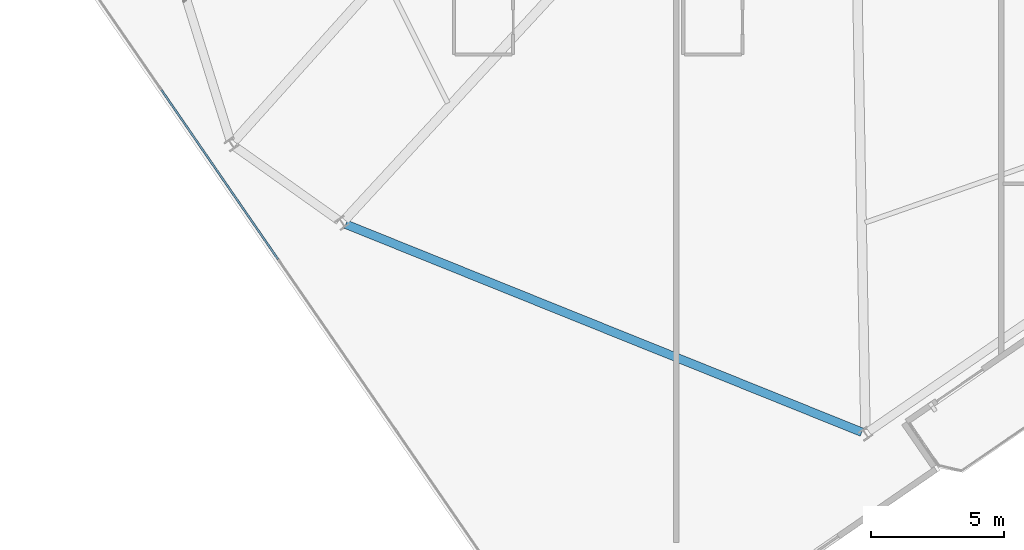
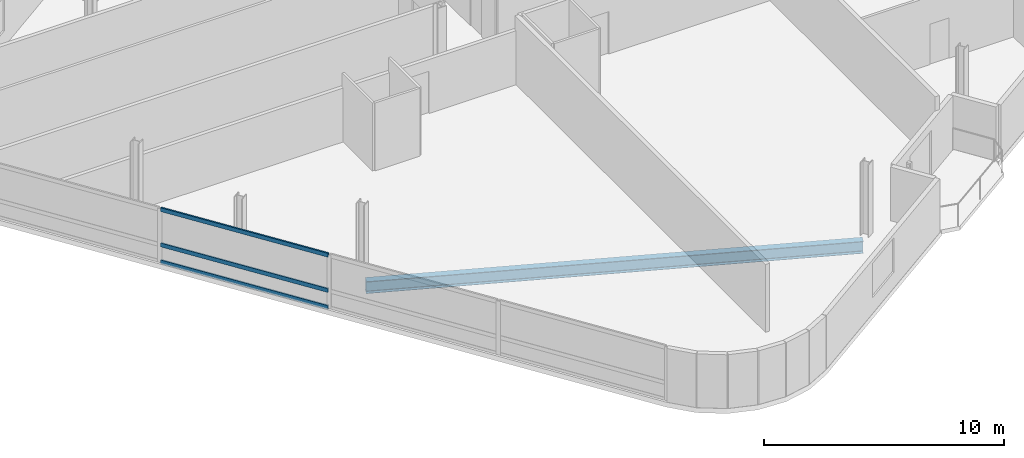
# One storey, part 4 of 21: 3 members, 1 beam, 1 element without a shape of its own.
"""IFC4 building model written with IfcOpenShell, lengths in metres."""

import ifcopenshell
import ifcopenshell.guid

model = None  # the IFC model being written
_history = None  # IfcOwnerHistory: only IFC2X3 demands one
_inside = {}  # id of a spatial element -> (the spatial element, [elements in it])
_under = {}  # id of a project, library or spatial element -> (it, [spatial elements below it])
_declared = {}  # id of a project -> (the project, [libraries it declares])
_typed = {}  # id of a type object -> (the type object, [elements of that type])
_made_of = {}  # id of a material, layer set ... -> (it, [elements and type objects made of it])


def new_model(schema):
    """Start an empty IFC model of exactly this schema.

    Asked for "IFC4X3", IfcOpenShell would pick the latest addendum, in which some entities
    have other attributes; the version numbers below select the first issue.
    IFC2X3 requires an IfcOwnerHistory on every rooted entity: one is made here for all.
    """
    global model, _history
    if schema == "IFC4X3":
        model = ifcopenshell.file(schema_version=(4, 3, 0, 0))
    else:
        model = ifcopenshell.file(schema=schema)
    _inside.clear()
    _under.clear()
    _declared.clear()
    _typed.clear()
    _made_of.clear()
    _history = None
    if model.schema == "IFC2X3":
        org = make("IfcOrganization", Name="unknown")
        user = make(
            "IfcPersonAndOrganization",
            ThePerson=make("IfcPerson", FamilyName="unknown"),
            TheOrganization=org,
        )
        app = make(
            "IfcApplication",
            ApplicationDeveloper=org,
            Version="unknown",
            ApplicationFullName="unknown",
            ApplicationIdentifier="unknown",
        )
        _history = make(
            "IfcOwnerHistory",
            OwningUser=user,
            OwningApplication=app,
            ChangeAction="ADDED",
            CreationDate=0,
        )
    return model


def make(cls, **values):
    """One entity of the class cls with the attributes given. An attribute that is None is left unset."""
    return model.create_entity(
        cls, **{name: value for name, value in values.items() if value is not None}
    )


def rooted(cls, **values):
    """An entity with a GlobalId (a new one), such as an element, a storey or a relation."""
    return make(cls, GlobalId=ifcopenshell.guid.new(), OwnerHistory=_history, **values)


def si_unit(unit_type, name, prefix=None):
    """IfcSIUnit, for example si_unit("LENGTHUNIT", "METRE", prefix="MILLI")."""
    return make("IfcSIUnit", UnitType=unit_type, Prefix=prefix, Name=name)


def assignment(units):
    """IfcUnitAssignment: the units of a project."""
    return None if units is None else make("IfcUnitAssignment", Units=units)


def point(xyz):
    """IfcCartesianPoint."""
    return None if xyz is None else make("IfcCartesianPoint", Coordinates=xyz)


def direction(xyz):
    """IfcDirection."""
    return None if xyz is None else make("IfcDirection", DirectionRatios=xyz)


def frame(location, z_axis=None, x_axis=None):
    """IfcAxis2Placement3D, a coordinate frame: its origin and axes. An axis left out is left unset."""
    return make(
        "IfcAxis2Placement3D",
        Location=point(location),
        Axis=direction(z_axis),
        RefDirection=direction(x_axis),
    )


def frame_2d(location, x_axis=None):
    """IfcAxis2Placement2D, a coordinate frame in the plane: its origin and x axis."""
    return make(
        "IfcAxis2Placement2D", Location=point(location), RefDirection=direction(x_axis)
    )


def origin():
    """The frame at (0, 0, 0) with its axes left unset."""
    return frame((0.0, 0.0, 0.0))


def origin_2d():
    """The frame at (0, 0) in the plane with its x axis left unset."""
    return frame_2d((0.0, 0.0))


def place(relative_to, where):
    """IfcLocalPlacement: puts the frame where relative to a parent placement (None: the world)."""
    return make(
        "IfcLocalPlacement", PlacementRelTo=relative_to, RelativePlacement=where
    )


def context(
    kind, dimensions, precision=None, world=None, true_north=None, identifier=None
):
    """IfcGeometricRepresentationContext, for example the 3D "Model" context."""
    return make(
        "IfcGeometricRepresentationContext",
        ContextIdentifier=identifier,
        ContextType=kind,
        CoordinateSpaceDimension=dimensions,
        Precision=precision,
        WorldCoordinateSystem=world,
        TrueNorth=true_north,
    )


def subcontext(parent, identifier, kind, view, scale=None):
    """IfcGeometricRepresentationSubContext, for example "Body" below "Model"."""
    return make(
        "IfcGeometricRepresentationSubContext",
        ContextIdentifier=identifier,
        ContextType=kind,
        ParentContext=parent,
        TargetScale=scale,
        TargetView=view,
    )


def project(units=None, contexts=None):
    """IfcProject with its units and contexts."""
    return rooted(
        "IfcProject",
        Name="project",
        RepresentationContexts=contexts,
        UnitsInContext=assignment(units),
    )


def spatial(cls, under=None, at=None, **own):
    """A site, building, storey or space (cls), placed at a placement, below another one or the project."""
    s = rooted(cls, ObjectPlacement=at, **own)
    if under is not None:
        _under.setdefault(under.id(), (under, []))[1].append(s)
    return s


def profile(cls, at=None, kind="AREA", **sizes):
    """A parametric profile (cls). Its sizes go by their IFC names, for example OverallWidth=200.0."""
    return make(cls, ProfileType=kind, Position=at, **sizes)


def hollow_rectangle(**sizes):
    """IfcRectangleHollowProfileDef."""
    return profile("IfcRectangleHollowProfileDef", **sizes)


def i_section(**sizes):
    """IfcIShapeProfileDef."""
    return profile("IfcIShapeProfileDef", **sizes)


def extrude(swept, where, along, depth):
    """IfcExtrudedAreaSolid: the profile swept, set in the frame where, extruded along a direction by depth."""
    return make(
        "IfcExtrudedAreaSolid",
        SweptArea=swept,
        Position=where,
        ExtrudedDirection=direction(along),
        Depth=depth,
    )


def shape(context_of_items, identifier, shape_type, items):
    """IfcShapeRepresentation: the items that make up one representation, for example the "Body"."""
    return make(
        "IfcShapeRepresentation",
        ContextOfItems=context_of_items,
        RepresentationIdentifier=identifier,
        RepresentationType=shape_type,
        Items=items,
    )


def material(Name=None, Category=None):
    """IfcMaterial."""
    return make("IfcMaterial", Name=Name, Category=Category)


def layer(
    of_material, thickness, ventilated=None, Name=None, Category=None, Priority=None
):
    """IfcMaterialLayer: one layer of a wall or slab, of a material (None: an air gap)."""
    return make(
        "IfcMaterialLayer",
        Material=of_material,
        LayerThickness=thickness,
        IsVentilated=ventilated,
        Name=Name,
        Category=Category,
        Priority=Priority,
    )


def layer_set(layers, Name=None):
    """IfcMaterialLayerSet."""
    return make("IfcMaterialLayerSet", MaterialLayers=layers, LayerSetName=Name)


def material_profile(
    of_material, cross_section, Name=None, Category=None, Priority=None
):
    """IfcMaterialProfile: a cross section and its material."""
    return make(
        "IfcMaterialProfile",
        Name=Name,
        Material=of_material,
        Profile=cross_section,
        Priority=Priority,
        Category=Category,
    )


def profile_set(profiles, Name=None, composite=None):
    """IfcMaterialProfileSet."""
    return make(
        "IfcMaterialProfileSet",
        Name=Name,
        MaterialProfiles=profiles,
        CompositeProfile=composite,
    )


def made_of(thing, what):
    """Note that an element or type object is made of a material, layer set ...; save() writes the relation."""
    if what is not None:
        _made_of.setdefault(what.id(), (what, []))[1].append(thing)
    return thing


def type_object(cls, material=None, **own):
    """A type object (cls), such as IfcWallType, which elements share."""
    return made_of(rooted(cls, **own), material)


def element(
    cls,
    number,
    at=None,
    inside=None,
    cuts=None,
    type_object=None,
    material=None,
    context=None,
    identifier="Body",
    shape_type=None,
    held_by="IfcProductDefinitionShape",
    body=None,
    shapes=None,
    **own,
):
    """One element of the class cls, such as IfcWall. Its Tag is "e" and its number.

    at: its placement. inside: the storey or other place that contains it. cuts: it is an
    opening in that element (IfcRelVoidsElement). A single representation is given by context,
    identifier, shape_type and body (its items); several are given by shapes. held_by: the class
    of the entity that holds the representations. save() writes the other relations.
    """
    e = rooted(cls, Tag="e%d" % number, ObjectPlacement=at, **own)
    if body is not None:
        shapes = [shape(context, identifier, shape_type, body)]
    if shapes is not None:
        e.Representation = make(held_by, Representations=shapes)
    if inside is not None:
        _inside.setdefault(inside.id(), (inside, []))[1].append(e)
    if cuts is not None:
        rooted(
            "IfcRelVoidsElement", RelatingBuildingElement=cuts, RelatedOpeningElement=e
        )
    if type_object is not None:
        _typed.setdefault(type_object.id(), (type_object, []))[1].append(e)
    return made_of(e, material)


def aggregate(whole, parts):
    """IfcRelAggregates: a whole, such as a stair, and the parts it consists of."""
    return rooted("IfcRelAggregates", RelatingObject=whole, RelatedObjects=parts)


def save(model, path):
    """Write the relations noted so far, then the file.

    IfcRelAggregates (storeys below a building ...), IfcRelContainedInSpatialStructure (elements
    in a storey), IfcRelDefinesByType, IfcRelAssociatesMaterial and IfcRelDeclares: one each for
    every whole, place, type object, material and project.
    """
    for whole, parts in _under.values():
        aggregate(whole, parts)
    for where, things in _inside.values():
        rooted(
            "IfcRelContainedInSpatialStructure",
            RelatedElements=things,
            RelatingStructure=where,
        )
    for kind, things in _typed.values():
        rooted("IfcRelDefinesByType", RelatedObjects=things, RelatingType=kind)
    for what, things in _made_of.values():
        rooted("IfcRelAssociatesMaterial", RelatedObjects=things, RelatingMaterial=what)
    for by, libraries in _declared.values():
        rooted("IfcRelDeclares", RelatingContext=by, RelatedDefinitions=libraries)
    model.write(path)


model = new_model("IFC4")

# Units and contexts
model_context = context("Model", 3, precision=1e-05, world=origin(), true_north=direction((0.0, 1.0)))
body_context = subcontext(model_context, "Body", "Model", "MODEL_VIEW")
ifc_project = project(units=[si_unit("LENGTHUNIT", "METRE"), si_unit("AREAUNIT", "SQUARE_METRE"), si_unit("VOLUMEUNIT", "CUBIC_METRE"), si_unit("PLANEANGLEUNIT", "RADIAN"), si_unit("MASSUNIT", "GRAM", prefix="KILO")], contexts=[model_context])

# Site, building, storey
site_placement = place(None, origin())
site = spatial("IfcSite", under=ifc_project, at=site_placement, CompositionType="ELEMENT")
building_placement = place(site_placement, origin())
building = spatial("IfcBuilding", under=site, at=building_placement, Name="Varnelok Gate Tower", CompositionType="ELEMENT")
storey_placement = place(building_placement, frame((0.0, 0.0, 269.300048828125)))
storey = spatial("IfcBuildingStorey", under=building, at=storey_placement, Name="L69", CompositionType="ELEMENT", Elevation=269.300048828125)

# Beam
ifc_material_1 = material(Name="Structural Steel ASTM A992 Grade 50", Category="steel")
ifc_material_profile_1 = material_profile(ifc_material_1, i_section(OverallWidth=0.323974609375, OverallDepth=0.611083984375, WebThickness=0.0126953125, FlangeThickness=0.01904296875, FilletRadius=0.01806640625, at=origin_2d()), Name="W24X104")
ifc_profile_set_1 = profile_set([ifc_material_profile_1], Name="Structural Steel ASTM A992 Grade 50")
beam_type = type_object("IfcBeamType", Name="BM-SPN-W24X104", PredefinedType="SPANDREL", material=ifc_profile_set_1)
beam_placement = place(storey_placement, frame((14.581787109375, 7.94775390625, -0.5556640625), z_axis=(0.927546574087, -0.373707576722, 0.0), x_axis=(0.373707576722, 0.927546574087, 0.0)))
element("IfcBeam", 1, at=beam_placement, inside=storey, type_object=beam_type, Name="L69 Perimeter Spandrel Beam 16", PredefinedType="SPANDREL", context=body_context, shape_type="SweptSolid", body=[
    extrude(i_section(OverallWidth=0.323974609375, OverallDepth=0.611083984375, WebThickness=0.0126953125, FlangeThickness=0.01904296875, FilletRadius=0.01806640625, at=origin_2d()), origin(), (0.0, 0.0, 1.0), 20.90087890625),
])

# Curtain wall, members
ifc_material_2 = material(Name="Anodized Aluminum Alloy 6063-T6", Category="aluminium")
ifc_layer = layer(ifc_material_2, 0.179931640625)
ifc_layer_set = layer_set([ifc_layer], Name="Anodized Aluminum Alloy 6063-T6")
curtain_wall_type = type_object("IfcCurtainWallType", Name="CW4-RESIDENCE-VISION", PredefinedType="USERDEFINED", material=ifc_layer_set)
curtain_wall_placement = place(storey_placement, origin())
curtain_wall = element("IfcCurtainWall", 2, at=curtain_wall_placement, inside=storey, type_object=curtain_wall_type, Name="L69 West End Vision Curtain Wall", ObjectType="UNITISED CURTAIN WALL", PredefinedType="USERDEFINED")
ifc_material_profile_2 = material_profile(ifc_material_2, hollow_rectangle(XDim=0.074951171875, YDim=0.199951171875, WallThickness=0.00390625, at=origin_2d()), Name="ALU200X75X4")
ifc_profile_set_2 = profile_set([ifc_material_profile_2], Name="Anodized Aluminum Alloy 6063-T6")
member_type = type_object("IfcMemberType", Name="CW-TRAN-200", PredefinedType="USERDEFINED", material=ifc_profile_set_2)
member_1_placement = place(storey_placement, frame((12.03515625, 6.6337890625, 0.037353515625), z_axis=(-0.567275705555, 0.823527943598, 0.0), x_axis=(-0.823527943598, -0.567275705555, 0.0)))
member_1 = element("IfcMember", 3, at=member_1_placement, type_object=member_type, Name="CW4 transom 3.1", ObjectType="TRANSOM", PredefinedType="USERDEFINED", context=body_context, shape_type="SweptSolid", body=[
    extrude(hollow_rectangle(XDim=0.074951171875, YDim=0.199951171875, WallThickness=0.00390625, at=origin_2d()), origin(), (0.0, 0.0, 1.0), 7.724853515625),
])
member_2_placement = place(storey_placement, frame((12.03515625, 6.6337890625, 0.89990234375), z_axis=(-0.567275705555, 0.823527943598, 0.0), x_axis=(-0.823527943598, -0.567275705555, 0.0)))
member_2 = element("IfcMember", 4, at=member_2_placement, type_object=member_type, Name="CW4 transom 3.2", ObjectType="TRANSOM", PredefinedType="USERDEFINED", context=body_context, shape_type="SweptSolid", body=[
    extrude(hollow_rectangle(XDim=0.074951171875, YDim=0.199951171875, WallThickness=0.00390625, at=origin_2d()), origin(), (0.0, 0.0, 1.0), 7.724853515625),
])
member_3_placement = place(storey_placement, frame((12.03515625, 6.6337890625, 2.6923828125), z_axis=(-0.567275705555, 0.823527943598, 0.0), x_axis=(-0.823527943598, -0.567275705555, 0.0)))
member_3 = element("IfcMember", 5, at=member_3_placement, type_object=member_type, Name="CW4 transom 3.3", ObjectType="TRANSOM", PredefinedType="USERDEFINED", context=body_context, shape_type="SweptSolid", body=[
    extrude(hollow_rectangle(XDim=0.074951171875, YDim=0.199951171875, WallThickness=0.00390625, at=origin_2d()), origin(), (0.0, 0.0, 1.0), 7.724853515625),
])
aggregate(curtain_wall, [member_1, member_2, member_3])

save(model, "model.ifc")
